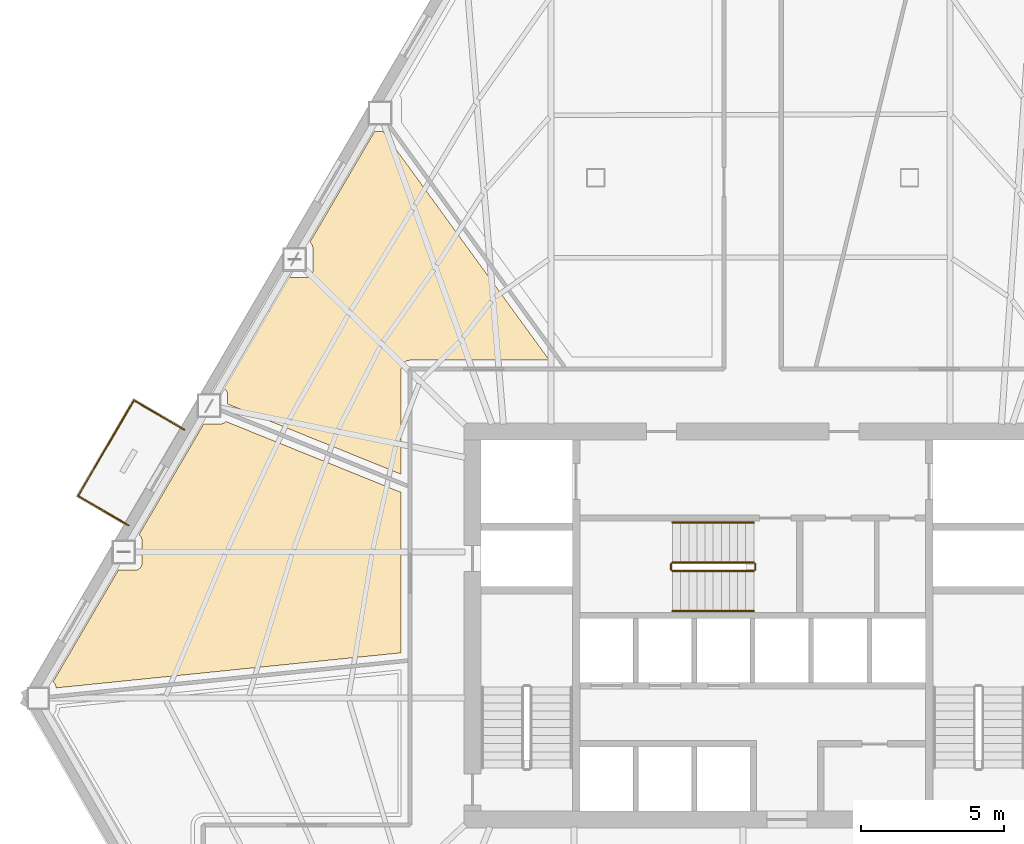
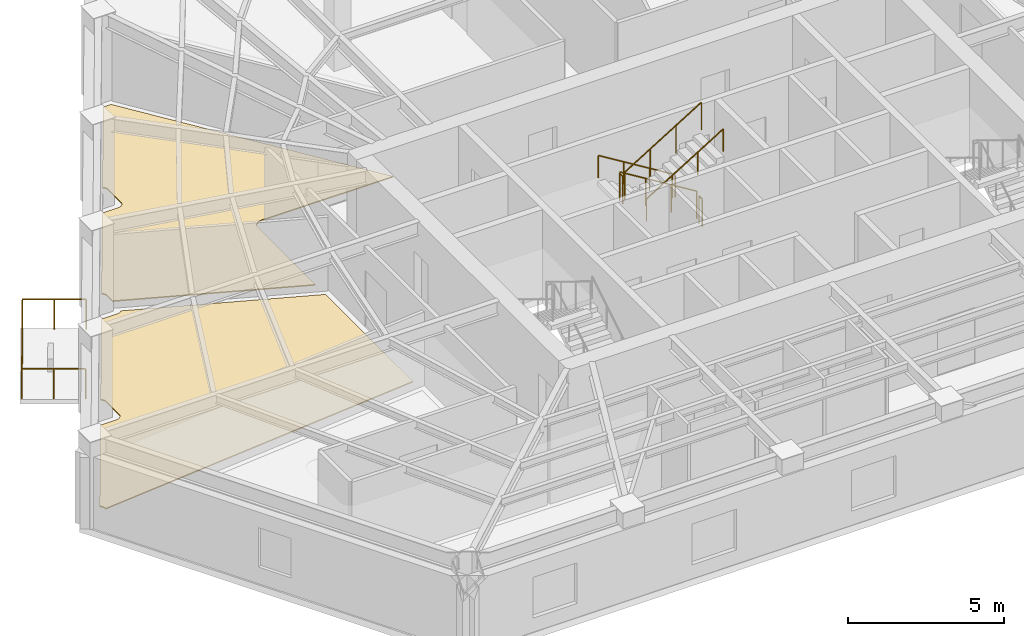
# One storey, part 12 of 14: 9 railings, 2 coverings.
"""IFC4 building model written with IfcOpenShell, lengths in metres."""

from ifc_helpers import new_model, si_unit, direction, frame, origin, origin_2d, place, context, subcontext, project, spatial, polyline, circle, outline, extrude, material, layer, layer_set, type_object, element, save


model = new_model("IFC4")

# Units and contexts
model_context = context("Model", 3, precision=1e-05, world=origin(), true_north=direction((0.0, 1.0)))
body_context = subcontext(model_context, "Body", "Model", "MODEL_VIEW")
ifc_project = project(units=[si_unit("LENGTHUNIT", "METRE"), si_unit("AREAUNIT", "SQUARE_METRE"), si_unit("VOLUMEUNIT", "CUBIC_METRE"), si_unit("PLANEANGLEUNIT", "RADIAN"), si_unit("MASSUNIT", "GRAM", prefix="KILO")], contexts=[model_context])

# Site, building, storey
site_placement = place(None, origin())
site = spatial("IfcSite", under=ifc_project, at=site_placement, CompositionType="ELEMENT")
building_placement = place(site_placement, origin())
building = spatial("IfcBuilding", under=site, at=building_placement, Name="Kavelnor Concourse Tower", CompositionType="ELEMENT")
storey_placement = place(building_placement, frame((0.0, 0.0, 71.449951171875)))
storey = spatial("IfcBuildingStorey", under=building, at=storey_placement, Name="L18", CompositionType="ELEMENT", Elevation=71.449951171875)

# Coverings
ifc_material_1 = material(Name="Honed bluestone and raised access floor finish", Category="masonry")
ifc_layer = layer(ifc_material_1, 0.0400390625, Name="Honed bluestone and raised access floor finish")
ifc_layer_set = layer_set([ifc_layer], Name="Honed bluestone and raised access floor finish")
covering_type = type_object("IfcCoveringType", Name="COV-FLOOR-STONE", PredefinedType="FLOORING", material=ifc_layer_set)
covering_1_placement = place(storey_placement, frame((0.0, 0.0, 0.001953125)))
element("IfcCovering", 1, at=covering_1_placement, inside=storey, type_object=covering_type, Name="L18 Honed Bluestone Floor Finish", PredefinedType="FLOORING", context=body_context, shape_type="SweptSolid", body=[
    extrude(outline(polyline([(21.74853515625, 28.2998046875), (22.342529296875, 28.2998046875), (22.360595703125, 28.30078125), (22.384033203125, 28.30419921875), (22.40673828125, 28.309814453125), (22.428955078125, 28.31787109375), (22.450439453125, 28.327880859375), (22.470703125, 28.340087890625), (22.489501953125, 28.35400390625), (22.507080078125, 28.369873046875), (22.522705078125, 28.387451171875), (22.536865234375, 28.40625), (22.549072265625, 28.426513671875), (22.55908203125, 28.447998046875), (22.56689453125, 28.47021484375), (22.57275390625, 28.492919921875), (22.576171875, 28.51611328125), (22.5771484375, 28.534423828125), (22.5771484375, 29.34521484375), (22.576171875, 29.36328125), (22.57275390625, 29.38671875), (22.56689453125, 29.409423828125), (22.55908203125, 29.431640625), (22.549072265625, 29.453125), (22.536865234375, 29.473388671875), (22.522705078125, 29.4921875), (22.507080078125, 29.509765625), (22.489501953125, 29.525390625), (22.47216796875, 29.538330078125), (24.7451171875, 33.42919921875), (25.0341796875, 33.42919921875), (30.870849609375, 25.402587890625), (25.974609375, 25.402587890625), (25.9501953125, 25.4013671875), (25.9208984375, 25.39697265625), (25.89208984375, 25.3896484375), (25.864013671875, 25.379638671875), (25.83740234375, 25.366943359375), (25.811767578125, 25.351806640625), (25.787841796875, 25.333984375), (25.765869140625, 25.314208984375), (25.74609375, 25.2919921875), (25.728271484375, 25.268310546875), (25.712890625, 25.24267578125), (25.7001953125, 25.2158203125), (25.690185546875, 25.18798828125), (25.68310546875, 25.1591796875), (25.6787109375, 25.129638671875), (25.677490234375, 25.10546875), (25.677490234375, 21.4033203125), (19.580810546875, 23.869873046875), (19.580810546875, 24.2158203125), (19.579833984375, 24.234130859375), (19.576416015625, 24.25732421875), (19.570556640625, 24.2802734375), (19.562744140625, 24.302490234375), (19.552490234375, 24.32373046875), (19.54052734375, 24.343994140625), (19.5263671875, 24.36279296875), (19.510498046875, 24.38037109375), (19.4931640625, 24.396240234375), (19.4755859375, 24.4091796875), (21.74853515625, 28.2998046875)])), origin(), (0.0, 0.0, 1.0), 0.0400390625),
])
covering_2_placement = place(storey_placement, frame((0.0, 0.0, 0.001953125)))
element("IfcCovering", 2, at=covering_2_placement, inside=storey, type_object=covering_type, Name="L18 Honed Bluestone Floor Finish", PredefinedType="FLOORING", context=body_context, shape_type="SweptSolid", body=[
    extrude(outline(polyline([(15.755615234375, 18.041259765625), (16.349609375, 18.041259765625), (16.367919921875, 18.042236328125), (16.39111328125, 18.045654296875), (16.413818359375, 18.051513671875), (16.43603515625, 18.059326171875), (16.45751953125, 18.0693359375), (16.477783203125, 18.08154296875), (16.49658203125, 18.095703125), (16.51416015625, 18.111328125), (16.52978515625, 18.12890625), (16.5439453125, 18.147705078125), (16.55615234375, 18.16796875), (16.566162109375, 18.189453125), (16.57421875, 18.211669921875), (16.579833984375, 18.234375), (16.583251953125, 18.2578125), (16.584228515625, 18.27587890625), (16.584228515625, 19.086669921875), (16.583251953125, 19.10498046875), (16.579833984375, 19.128173828125), (16.57421875, 19.15087890625), (16.566162109375, 19.173095703125), (16.55615234375, 19.194580078125), (16.5439453125, 19.21484375), (16.52978515625, 19.233642578125), (16.51416015625, 19.251220703125), (16.49658203125, 19.26708984375), (16.479248046875, 19.27978515625), (18.752197265625, 23.17041015625), (19.34619140625, 23.17041015625), (19.3642578125, 23.17138671875), (19.3876953125, 23.1748046875), (19.410400390625, 23.1806640625), (19.4326171875, 23.1884765625), (19.4541015625, 23.198486328125), (19.47412109375, 23.210693359375), (19.4931640625, 23.224853515625), (19.510498046875, 23.240478515625), (19.524658203125, 23.256103515625), (25.677490234375, 20.766845703125), (25.677490234375, 15.143310546875), (13.567626953125, 13.91162109375), (13.567626953125, 13.9375), (13.56689453125, 13.95556640625), (13.563232421875, 13.97900390625), (13.5576171875, 14.001708984375), (13.5498046875, 14.02392578125), (13.53955078125, 14.04541015625), (13.527587890625, 14.0654296875), (13.513427734375, 14.08447265625), (13.49755859375, 14.101806640625), (13.47998046875, 14.11767578125), (13.468505859375, 14.126220703125), (15.755615234375, 18.041259765625)])), origin(), (0.0, 0.0, 1.0), 0.0400390625),
])

# Railings
ifc_material_2 = material(Name="Steel Grade 350", Category="steel")
railing_type_1 = type_object("IfcRailingType", Name="RLG-GUARD-1100", PredefinedType="GUARDRAIL", material=ifc_material_2)
railing_1_placement = place(storey_placement, frame((38.0400390625, 18.31005859375, 0.175048828125)))
element("IfcRailing", 3, at=railing_1_placement, inside=storey, type_object=railing_type_1, Name="L18 ST3 stair guard 1", PredefinedType="GUARDRAIL", context=body_context, shape_type="SweptSolid", body=[
    extrude(circle(Radius=0.02392578125, at=origin_2d()), frame((0.0, 0.0, 1.076171875), z_axis=(-0.852179220489, 0.0, 0.52325001306), x_axis=(0.0, -1.0, 0.0)), (0.0, 0.0, 1.0), 3.344482421875),
    extrude(circle(Radius=0.02099609375, at=origin_2d()), origin(), (0.0, 0.0, 1.0), 1.052001953125),
    extrude(circle(Radius=0.02099609375, at=origin_2d()), frame((-0.949951171875, 0.0, 0.583251953125)), (0.0, 0.0, 1.0), 1.052001953125),
    extrude(circle(Radius=0.02099609375, at=origin_2d()), frame((-1.900146484375, 0.0, 1.166748046875)), (0.0, 0.0, 1.0), 1.052001953125),
    extrude(circle(Radius=0.02099609375, at=origin_2d()), frame((-2.85009765625, 0.0, 1.75)), (0.0, 0.0, 1.0), 1.052001953125),
])
railing_2_placement = place(storey_placement, frame((35.139892578125, 18.260009765625, 1.925048828125)))
element("IfcRailing", 4, at=railing_2_placement, inside=storey, type_object=railing_type_1, Name="L18 ST3 stair guard 2", PredefinedType="GUARDRAIL", context=body_context, shape_type="SweptSolid", body=[
    extrude(circle(Radius=0.02392578125, at=origin_2d()), frame((0.0, 0.0, 1.076171875), z_axis=(0.0, -1.0, 0.0), x_axis=(1.0, 0.0, 0.0)), (0.0, 0.0, 1.0), 0.199951171875),
    extrude(circle(Radius=0.02099609375, at=origin_2d()), origin(), (0.0, 0.0, 1.0), 1.052001953125),
    extrude(circle(Radius=0.02099609375, at=origin_2d()), frame((0.0, -0.199951171875, 0.0)), (0.0, 0.0, 1.0), 1.052001953125),
])
railing_3_placement = place(storey_placement, frame((35.18994140625, 18.010009765625, 2.10009765625)))
element("IfcRailing", 5, at=railing_3_placement, inside=storey, type_object=railing_type_1, Name="L18 ST3 stair guard 3", PredefinedType="GUARDRAIL", context=body_context, shape_type="SweptSolid", body=[
    extrude(circle(Radius=0.02392578125, at=origin_2d()), frame((0.0, 0.0, 1.076171875), z_axis=(0.852179220489, 0.0, 0.52325001306), x_axis=(0.0, 1.0, 0.0)), (0.0, 0.0, 1.0), 3.344482421875),
    extrude(circle(Radius=0.02099609375, at=origin_2d()), origin(), (0.0, 0.0, 1.0), 1.052001953125),
    extrude(circle(Radius=0.02099609375, at=origin_2d()), frame((0.949951171875, 0.0, 0.583251953125)), (0.0, 0.0, 1.0), 1.052001953125),
    extrude(circle(Radius=0.02099609375, at=origin_2d()), frame((1.900146484375, 0.0, 1.166748046875)), (0.0, 0.0, 1.0), 1.052001953125),
    extrude(circle(Radius=0.02099609375, at=origin_2d()), frame((2.85009765625, 0.0, 1.75)), (0.0, 0.0, 1.0), 1.052001953125),
])
railing_4_placement = place(storey_placement, frame((38.090087890625, 18.260009765625, 0.0)))
element("IfcRailing", 6, at=railing_4_placement, inside=storey, type_object=railing_type_1, Name="L18 ST3 stair guard 4", PredefinedType="GUARDRAIL", context=body_context, shape_type="SweptSolid", body=[
    extrude(circle(Radius=0.02392578125, at=origin_2d()), frame((0.0, 0.0, 1.076171875), z_axis=(0.0, -1.0, 0.0), x_axis=(1.0, 0.0, 0.0)), (0.0, 0.0, 1.0), 0.199951171875),
    extrude(circle(Radius=0.02099609375, at=origin_2d()), origin(), (0.0, 0.0, 1.0), 1.052001953125),
    extrude(circle(Radius=0.02099609375, at=origin_2d()), frame((0.0, -0.199951171875, 0.0)), (0.0, 0.0, 1.0), 1.052001953125),
])
railing_type_2 = type_object("IfcRailingType", Name="RLG-HANDRAIL-900", PredefinedType="HANDRAIL", material=ifc_material_2)
railing_5_placement = place(storey_placement, frame((38.0400390625, 19.7099609375, 0.175048828125)))
element("IfcRailing", 7, at=railing_5_placement, inside=storey, type_object=railing_type_2, Name="L18 ST3 stair handrail 1", PredefinedType="HANDRAIL", context=body_context, shape_type="SweptSolid", body=[
    extrude(circle(Radius=0.02392578125, at=origin_2d()), frame((0.0, 0.0, 0.8759765625), z_axis=(-0.852179220489, 0.0, 0.52325001306), x_axis=(0.0, -1.0, 0.0)), (0.0, 0.0, 1.0), 3.344482421875),
    extrude(circle(Radius=0.02099609375, at=origin_2d()), origin(), (0.0, 0.0, 1.0), 0.851806640625),
    extrude(circle(Radius=0.02099609375, at=origin_2d()), frame((-0.949951171875, 0.0, 0.583251953125)), (0.0, 0.0, 1.0), 0.851806640625),
    extrude(circle(Radius=0.02099609375, at=origin_2d()), frame((-1.900146484375, 0.0, 1.166748046875)), (0.0, 0.0, 1.0), 0.851806640625),
    extrude(circle(Radius=0.02099609375, at=origin_2d()), frame((-2.85009765625, 0.0, 1.75)), (0.0, 0.0, 1.0), 0.851806640625),
])
railing_6_placement = place(storey_placement, frame((35.18994140625, 16.610107421875, 2.10009765625)))
element("IfcRailing", 8, at=railing_6_placement, inside=storey, type_object=railing_type_2, Name="L18 ST3 stair handrail 2", PredefinedType="HANDRAIL", context=body_context, shape_type="SweptSolid", body=[
    extrude(circle(Radius=0.02392578125, at=origin_2d()), frame((0.0, 0.0, 0.8759765625), z_axis=(0.852179220489, 0.0, 0.52325001306), x_axis=(0.0, 1.0, 0.0)), (0.0, 0.0, 1.0), 3.344482421875),
    extrude(circle(Radius=0.02099609375, at=origin_2d()), origin(), (0.0, 0.0, 1.0), 0.851806640625),
    extrude(circle(Radius=0.02099609375, at=origin_2d()), frame((0.949951171875, 0.0, 0.583251953125)), (0.0, 0.0, 1.0), 0.851806640625),
    extrude(circle(Radius=0.02099609375, at=origin_2d()), frame((1.900146484375, 0.0, 1.166748046875)), (0.0, 0.0, 1.0), 0.851806640625),
    extrude(circle(Radius=0.02099609375, at=origin_2d()), frame((2.85009765625, 0.0, 1.75)), (0.0, 0.0, 1.0), 0.851806640625),
])
ifc_material_3 = material(Name="Architectural bronze-anodised aluminium", Category="aluminium")
railing_type_3 = type_object("IfcRailingType", Name="RLG-TERRACE-1200", PredefinedType="BALUSTRADE", material=ifc_material_3)
railing_7_placement = place(storey_placement, frame((18.073974609375, 22.961181640625, 0.0)))
element("IfcRailing", 9, at=railing_7_placement, inside=storey, type_object=railing_type_3, Name="L18 Tree Balcony 1 Guardrail L", PredefinedType="BALUSTRADE", context=body_context, shape_type="SweptSolid", body=[
    extrude(circle(Radius=0.02392578125, at=origin_2d()), frame((0.0, 0.0, 1.17578125), z_axis=(-0.863506662078, 0.504337431237, 0.0), x_axis=(-0.504337431237, -0.863506662078, 0.0)), (0.0, 0.0, 1.0), 2.050048828125),
    extrude(circle(Radius=0.02099609375, at=origin_2d()), origin(), (0.0, 0.0, 1.0), 1.15185546875),
    extrude(circle(Radius=0.02099609375, at=origin_2d()), frame((-0.88525390625, 0.51708984375, 0.0)), (0.0, 0.0, 1.0), 1.15185546875),
    extrude(circle(Radius=0.02099609375, at=origin_2d()), frame((-1.770263671875, 1.033935546875, 0.0)), (0.0, 0.0, 1.0), 1.15185546875),
])
railing_8_placement = place(storey_placement, frame((16.3037109375, 23.9951171875, 0.0)))
element("IfcRailing", 10, at=railing_8_placement, inside=storey, type_object=railing_type_3, Name="L18 Tree Balcony 1 Guardrail F", PredefinedType="BALUSTRADE", context=body_context, shape_type="SweptSolid", body=[
    extrude(circle(Radius=0.02392578125, at=origin_2d()), frame((0.0, 0.0, 1.17578125), z_axis=(-0.504410847485, -0.863463778591, 0.0), x_axis=(0.863463778591, -0.504410847485, 0.0)), (0.0, 0.0, 1.0), 3.8798828125),
    extrude(circle(Radius=0.02099609375, at=origin_2d()), origin(), (0.0, 0.0, 1.0), 1.15185546875),
    extrude(circle(Radius=0.02099609375, at=origin_2d()), frame((-0.4892578125, -0.83740234375, 0.0)), (0.0, 0.0, 1.0), 1.15185546875),
    extrude(circle(Radius=0.02099609375, at=origin_2d()), frame((-0.978515625, -1.675048828125, 0.0)), (0.0, 0.0, 1.0), 1.15185546875),
    extrude(circle(Radius=0.02099609375, at=origin_2d()), frame((-1.4677734375, -2.5126953125, 0.0)), (0.0, 0.0, 1.0), 1.15185546875),
    extrude(circle(Radius=0.02099609375, at=origin_2d()), frame((-1.95703125, -3.35009765625, 0.0)), (0.0, 0.0, 1.0), 1.15185546875),
])
railing_9_placement = place(storey_placement, frame((14.3466796875, 20.64501953125, 0.0)))
element("IfcRailing", 11, at=railing_9_placement, inside=storey, type_object=railing_type_3, Name="L18 Tree Balcony 1 Guardrail R", PredefinedType="BALUSTRADE", context=body_context, shape_type="SweptSolid", body=[
    extrude(circle(Radius=0.02392578125, at=origin_2d()), frame((0.0, 0.0, 1.17578125), z_axis=(0.863476366644, -0.504389298308, 0.0), x_axis=(0.504389298308, 0.863476366644, 0.0)), (0.0, 0.0, 1.0), 2.0498046875),
    extrude(circle(Radius=0.02099609375, at=origin_2d()), origin(), (0.0, 0.0, 1.0), 1.15185546875),
    extrude(circle(Radius=0.02099609375, at=origin_2d()), frame((0.885009765625, -0.51708984375, 0.0)), (0.0, 0.0, 1.0), 1.15185546875),
    extrude(circle(Radius=0.02099609375, at=origin_2d()), frame((1.77001953125, -1.033935546875, 0.0)), (0.0, 0.0, 1.0), 1.15185546875),
])

save(model, "model.ifc")
